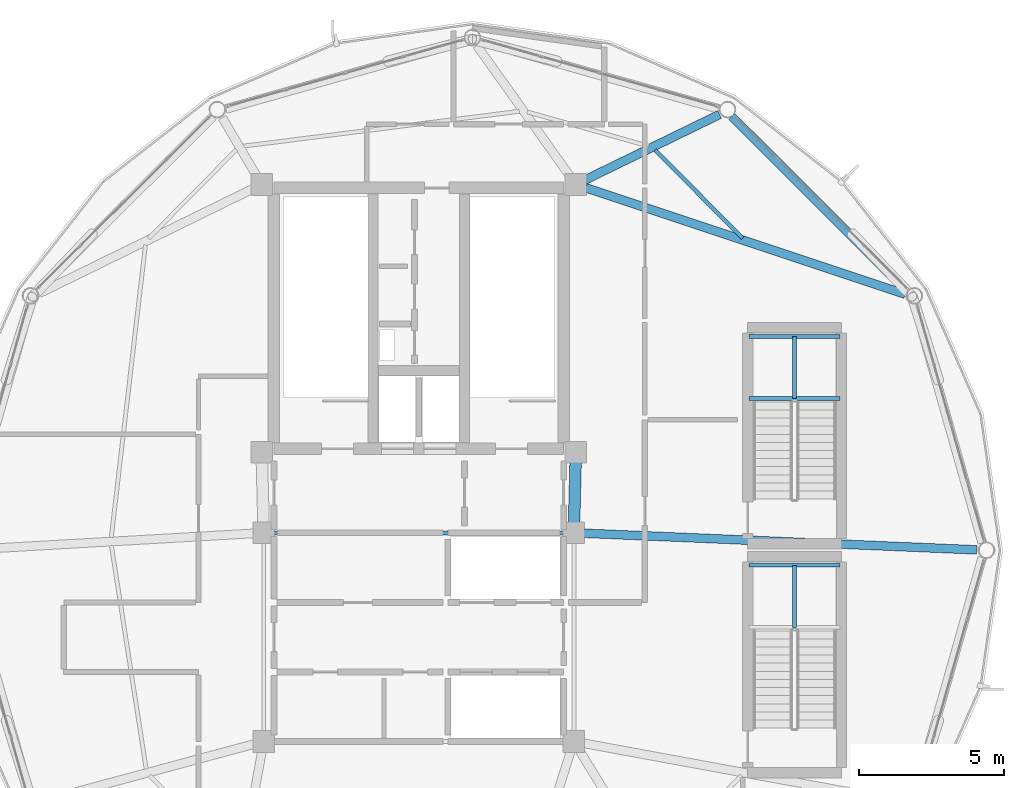
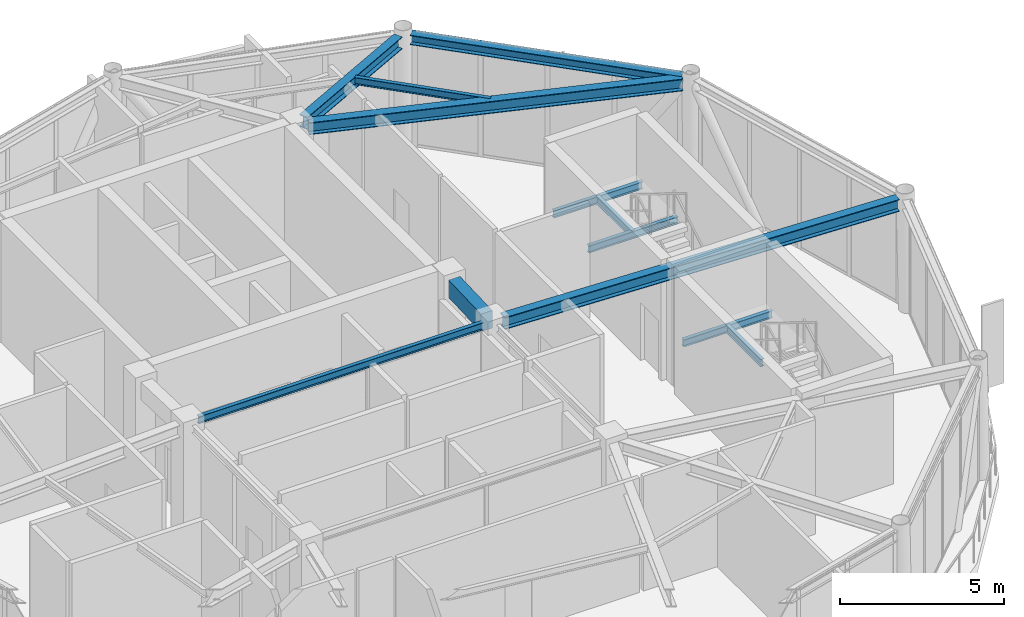
# One storey, part 13 of 26: 12 beams.
"""IFC4 building model written with IfcOpenShell, lengths in metres."""

from ifc_helpers import new_model, si_unit, direction, frame, origin, origin_2d, place, context, subcontext, project, spatial, rectangle, i_section, extrude, material, material_profile, profile_set, type_object, element, save


model = new_model("IFC4")

# Units and contexts
model_context = context("Model", 3, precision=1e-05, world=origin(), true_north=direction((0.0, 1.0)))
body_context = subcontext(model_context, "Body", "Model", "MODEL_VIEW")
ifc_project = project(units=[si_unit("LENGTHUNIT", "METRE"), si_unit("AREAUNIT", "SQUARE_METRE"), si_unit("VOLUMEUNIT", "CUBIC_METRE"), si_unit("PLANEANGLEUNIT", "RADIAN"), si_unit("MASSUNIT", "GRAM", prefix="KILO")], contexts=[model_context])

# Site, building, storey
site_placement = place(None, origin())
site = spatial("IfcSite", under=ifc_project, at=site_placement, CompositionType="ELEMENT")
building_placement = place(site_placement, origin())
building = spatial("IfcBuilding", under=site, at=building_placement, Name="Varnakorn Sky Granary", CompositionType="ELEMENT")
storey_placement = place(building_placement, frame((0.0, 0.0, 289.5)))
storey = spatial("IfcBuildingStorey", under=building, at=storey_placement, Name="L74", CompositionType="ELEMENT", Elevation=289.5)

# Beams
ifc_material_1 = material(Name="Concrete C50/60", Category="concrete")
ifc_material_profile_1 = material_profile(ifc_material_1, rectangle(XDim=0.39990234375, YDim=0.64990234375, at=origin_2d()), Name="RC 400x650")
ifc_profile_set_1 = profile_set([ifc_material_profile_1], Name="Concrete C50/60")
beam_type_1 = type_object("IfcBeamType", Name="BM-LIN-650", PredefinedType="LINTEL", material=ifc_profile_set_1)
beam_1_placement = place(storey_placement, frame((8.4111328125, 3.025146484375, 3.93505859375), z_axis=(-0.025227817192, -0.999681727971, 0.0), x_axis=(0.999681727971, -0.025227817192, 0.0)))
element("IfcBeam", 1, at=beam_1_placement, inside=storey, type_object=beam_type_1, Name="Core Spine Framing Beam 2 L74", PredefinedType="LINTEL", context=body_context, shape_type="SweptSolid", body=[
    extrude(rectangle(XDim=0.39990234375, YDim=0.64990234375, at=origin_2d()), origin(), (0.0, 0.0, 1.0), 2.071044921875),
])
ifc_material_2 = material(Name="Steel S355JR", Category="steel")
ifc_material_profile_2 = material_profile(ifc_material_2, i_section(OverallWidth=0.135009765625, OverallDepth=0.27001953125, WebThickness=0.006591796875, FlangeThickness=0.01025390625, at=origin_2d()), Name="IPE 270")
ifc_profile_set_2 = profile_set([ifc_material_profile_2], Name="Steel S355JR")
beam_type_2 = type_object("IfcBeamType", Name="BM-LND-270", PredefinedType="BEAM", material=ifc_profile_set_2)
for number, where, z_axis, x_axis, name in (
    (2, (14.39990234375, 5.239990234375, 1.9150390625), (1.0, 0.0, 0.0), (0.0, 1.0, 0.0), "Stair ST-C1 Landing Trimmer Beam A L74-1"),
    (3, (14.39990234375, 7.3798828125, 1.9150390625), (1.0, 0.0, 0.0), (0.0, 1.0, 0.0), "Stair ST-C1 Landing Trimmer Beam B L74-1"),
):
    element("IfcBeam", number, at=place(storey_placement, frame(where, z_axis=z_axis, x_axis=x_axis)), inside=storey, type_object=beam_type_2, Name=name, PredefinedType="BEAM", context=body_context, shape_type="SweptSolid", body=[
        extrude(i_section(OverallWidth=0.135009765625, OverallDepth=0.27001953125, WebThickness=0.006591796875, FlangeThickness=0.01025390625, at=origin_2d()), origin(), (0.0, 0.0, 1.0), 3.130126953125),
    ])
beam_2_placement = place(storey_placement, frame((15.965087890625, 5.239990234375, 1.9150390625), z_axis=(0.0, 1.0, 0.0), x_axis=(-1.0, 0.0, 0.0)))
element("IfcBeam", 4, at=beam_2_placement, inside=storey, type_object=beam_type_2, Name="Stair ST-C1 Landing Cross Beam C L74-1", PredefinedType="BEAM", context=body_context, shape_type="SweptSolid", body=[
    extrude(i_section(OverallWidth=0.135009765625, OverallDepth=0.27001953125, WebThickness=0.006591796875, FlangeThickness=0.01025390625, at=origin_2d()), origin(), (0.0, 0.0, 1.0), 2.139892578125),
])
beam_3_placement = place(storey_placement, frame((14.39990234375, -0.52001953125, 1.9150390625), z_axis=(1.0, 0.0, 0.0), x_axis=(0.0, 1.0, 0.0)))
element("IfcBeam", 5, at=beam_3_placement, inside=storey, type_object=beam_type_2, Name="Stair ST-C2 Landing Trimmer Beam B L74-1", PredefinedType="BEAM", context=body_context, shape_type="SweptSolid", body=[
    extrude(i_section(OverallWidth=0.135009765625, OverallDepth=0.27001953125, WebThickness=0.006591796875, FlangeThickness=0.01025390625, at=origin_2d()), origin(), (0.0, 0.0, 1.0), 3.130126953125),
])
beam_4_placement = place(storey_placement, frame((15.965087890625, -2.659912109375, 1.9150390625), z_axis=(0.0, 1.0, 0.0), x_axis=(-1.0, 0.0, 0.0)))
element("IfcBeam", 6, at=beam_4_placement, inside=storey, type_object=beam_type_2, Name="Stair ST-C2 Landing Cross Beam C L74-1", PredefinedType="BEAM", context=body_context, shape_type="SweptSolid", body=[
    extrude(i_section(OverallWidth=0.135009765625, OverallDepth=0.27001953125, WebThickness=0.006591796875, FlangeThickness=0.01025390625, at=origin_2d()), origin(), (0.0, 0.0, 1.0), 2.139892578125),
])
ifc_material_profile_3 = material_profile(ifc_material_2, i_section(OverallWidth=0.300048828125, OverallDepth=0.449951171875, WebThickness=0.013916015625, FlangeThickness=0.02587890625, at=origin_2d()), Name="HE 450 B")
ifc_profile_set_3 = profile_set([ifc_material_profile_3], Name="Steel S355JR")
beam_type_3 = type_object("IfcBeamType", Name="BM-RAD-Z5", PredefinedType="BEAM", material=ifc_profile_set_3)
beam_5_placement = place(storey_placement, frame((8.70458984375, 0.5849609375, 4.034912109375), z_axis=(0.99910415418, -0.042318897682, 0.0), x_axis=(0.042318897682, 0.99910415418, 0.0)))
element("IfcBeam", 7, at=beam_5_placement, inside=storey, type_object=beam_type_3, Name="Radial Floor Girder RG01 L74", PredefinedType="BEAM", context=body_context, shape_type="SweptSolid", body=[
    extrude(i_section(OverallWidth=0.300048828125, OverallDepth=0.449951171875, WebThickness=0.013916015625, FlangeThickness=0.02587890625, at=origin_2d()), origin(), (0.0, 0.0, 1.0), 13.557373046875),
])
beam_6_placement = place(storey_placement, frame((8.7568359375, 12.5078125, 4.034912109375), z_axis=(0.948613941339, -0.316435760144, 0.0), x_axis=(0.316435760144, 0.948613941339, 0.0)))
element("IfcBeam", 8, at=beam_6_placement, inside=storey, type_object=beam_type_3, Name="Radial Floor Girder RG02 L74", PredefinedType="BEAM", context=body_context, shape_type="SweptSolid", body=[
    extrude(i_section(OverallWidth=0.300048828125, OverallDepth=0.449951171875, WebThickness=0.013916015625, FlangeThickness=0.02587890625, at=origin_2d()), origin(), (0.0, 0.0, 1.0), 11.6201171875),
])
beam_7_placement = place(storey_placement, frame((8.7392578125, 12.775390625, 4.034912109375), z_axis=(0.899008024971, 0.437932153464, 0.0), x_axis=(-0.437932153464, 0.899008024971, 0.0)))
element("IfcBeam", 9, at=beam_7_placement, inside=storey, type_object=beam_type_3, Name="Radial Floor Girder RG03 L74", PredefinedType="BEAM", context=body_context, shape_type="SweptSolid", body=[
    extrude(i_section(OverallWidth=0.300048828125, OverallDepth=0.449951171875, WebThickness=0.013916015625, FlangeThickness=0.02587890625, at=origin_2d()), origin(), (0.0, 0.0, 1.0), 5.158447265625),
])
ifc_material_profile_4 = material_profile(ifc_material_2, i_section(OverallWidth=0.135009765625, OverallDepth=0.27001953125, WebThickness=0.006591796875, FlangeThickness=0.01025390625, at=origin_2d()), Name="IPE 270")
ifc_profile_set_4 = profile_set([ifc_material_profile_4], Name="Steel S355JR")
beam_type_4 = type_object("IfcBeamType", Name="BM-SEC-Z5", PredefinedType="BEAM", material=ifc_profile_set_4)
beam_8_placement = place(storey_placement, frame((14.169677734375, 10.7685546875, 4.125), z_axis=(-0.704305032459, 0.709897472353, 0.0), x_axis=(-0.709897472353, -0.704305032459, 0.0)))
element("IfcBeam", 10, at=beam_8_placement, inside=storey, type_object=beam_type_4, Name="Secondary Floor Chord Beam MSB02 L74", PredefinedType="BEAM", context=body_context, shape_type="SweptSolid", body=[
    extrude(i_section(OverallWidth=0.135009765625, OverallDepth=0.27001953125, WebThickness=0.006591796875, FlangeThickness=0.01025390625, at=origin_2d()), origin(), (0.0, 0.0, 1.0), 4.2783203125),
])
beam_9_placement = place(storey_placement, frame((-1.9951171875, 0.60009765625, 4.125), z_axis=(1.0, 0.0, 0.0), x_axis=(0.0, 1.0, 0.0)))
element("IfcBeam", 11, at=beam_9_placement, inside=storey, type_object=beam_type_4, Name="Core Spine Framing Beam 5 L74", PredefinedType="BEAM", context=body_context, shape_type="SweptSolid", body=[
    extrude(i_section(OverallWidth=0.135009765625, OverallDepth=0.27001953125, WebThickness=0.006591796875, FlangeThickness=0.01025390625, at=origin_2d()), origin(), (0.0, 0.0, 1.0), 9.990234375),
])
ifc_material_profile_5 = material_profile(ifc_material_2, i_section(OverallWidth=0.300048828125, OverallDepth=0.360107421875, WebThickness=0.012451171875, FlangeThickness=0.0224609375, at=origin_2d()), Name="HE 360 B")
ifc_profile_set_5 = profile_set([ifc_material_profile_5], Name="Steel S355JR")
beam_type_5 = type_object("IfcBeamType", Name="BM-SPD-Z5", PredefinedType="SPANDREL", material=ifc_profile_set_5)
beam_10_placement = place(storey_placement, frame((19.843505859375, 8.933837890625, 4.080078125), z_axis=(-0.7078214775, 0.706391361774, 0.0), x_axis=(-0.706391361774, -0.7078214775, 0.0)))
element("IfcBeam", 12, at=beam_10_placement, inside=storey, type_object=beam_type_5, Name="Perimeter Spandrel Ring Beam RB02 L74", PredefinedType="SPANDREL", context=body_context, shape_type="SweptSolid", body=[
    extrude(i_section(OverallWidth=0.300048828125, OverallDepth=0.360107421875, WebThickness=0.012451171875, FlangeThickness=0.0224609375, at=origin_2d()), origin(), (0.0, 0.0, 1.0), 8.53564453125),
])

save(model, "model.ifc")
